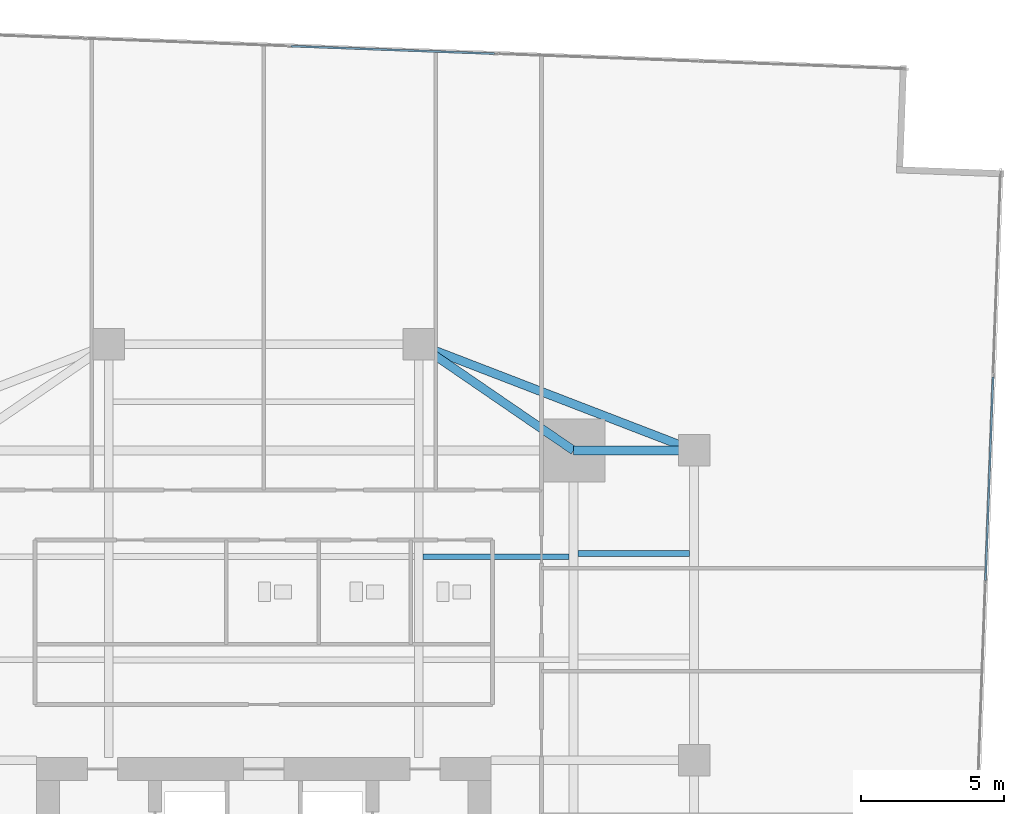
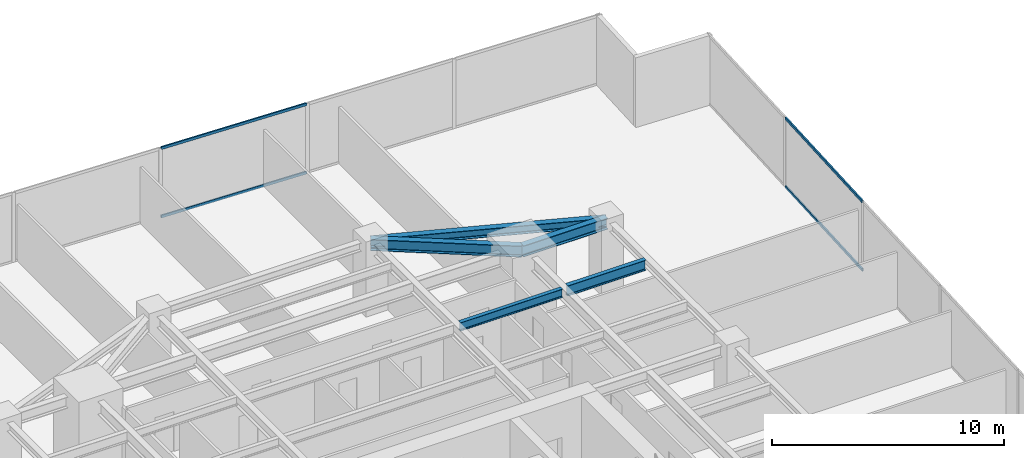
# One storey, part 23 of 30: 5 beams, 4 members, 2 elements without a shape of their own.
"""IFC4 building model written with IfcOpenShell, lengths in metres."""

from ifc_helpers import new_model, si_unit, direction, frame, origin, origin_2d, place, context, subcontext, project, spatial, hollow_rectangle, i_section, extrude, source, transform, mapped, material, material_profile, profile_set, type_object, type_shapes, element, aggregate, save


model = new_model("IFC4")

# Units and contexts
model_context = context("Model", 3, precision=1e-05, world=origin(), true_north=direction((0.0, 1.0)))
body_context = subcontext(model_context, "Body", "Model", "MODEL_VIEW")
ifc_project = project(units=[si_unit("LENGTHUNIT", "METRE"), si_unit("AREAUNIT", "SQUARE_METRE"), si_unit("VOLUMEUNIT", "CUBIC_METRE"), si_unit("PLANEANGLEUNIT", "RADIAN"), si_unit("MASSUNIT", "GRAM", prefix="KILO")], contexts=[model_context])

# Site, building, storey
site_placement = place(None, origin())
site = spatial("IfcSite", under=ifc_project, at=site_placement, CompositionType="ELEMENT")
building_placement = place(site_placement, origin())
building = spatial("IfcBuilding", under=site, at=building_placement, Name="Krantzveldt Concourse Tower", CompositionType="ELEMENT")
storey_placement = place(building_placement, frame((0.0, 0.0, 44.75)))
storey = spatial("IfcBuildingStorey", under=building, at=storey_placement, Name="L10", CompositionType="ELEMENT", Elevation=44.75)

# Beams
ifc_material_1 = material(Name="Steel S355JR", Category="steel")
ifc_material_profile_1 = material_profile(ifc_material_1, i_section(OverallWidth=0.300048828125, OverallDepth=0.43994140625, WebThickness=0.011474609375, FlangeThickness=0.02099609375, FilletRadius=0.027099609375, at=origin_2d()), Name="Steel S355JR", Category="steel")
ifc_profile_set_1 = profile_set([ifc_material_profile_1], Name="Steel S355JR - HEA 450")
beam_type_1 = type_object("IfcBeamType", Name="BM-SP-HEA450", PredefinedType="SPANDREL", material=ifc_profile_set_1)
shared_shape_1 = source(origin(), body_context, "Body", "SweptSolid", [
    extrude(i_section(OverallWidth=0.300048828125, OverallDepth=0.43994140625, WebThickness=0.011474609375, FlangeThickness=0.02099609375, FilletRadius=0.027099609375, at=origin_2d()), origin(), (0.0, 0.0, 1.0), 10.288330078125),
])
type_shapes(beam_type_1, [shared_shape_1])
beam_1_placement = place(storey_placement, frame((41.39990234375, 41.199951171875, 3.449951171875), z_axis=(0.933097690408, -0.359622997257, 0.0), x_axis=(0.359622997257, 0.933097690408, 0.0)))
element("IfcBeam", 1, at=beam_1_placement, inside=storey, type_object=beam_type_1, Name="L10 Tower Girder SP-R05", PredefinedType="SPANDREL", context=body_context, shape_type="MappedRepresentation", body=[
    mapped(shared_shape_1, transform((0.0, 0.0, 0.0), x_axis=(1.0, 0.0, 0.0), y_axis=(0.0, 1.0, 0.0), z_axis=(0.0, 0.0, 1.0), scale=1.0)),
])
ifc_material_profile_2 = material_profile(ifc_material_1, i_section(OverallWidth=0.300048828125, OverallDepth=0.590087890625, WebThickness=0.012939453125, FlangeThickness=0.02490234375, FilletRadius=0.027099609375, at=origin_2d()), Name="Steel S355JR", Category="steel")
ifc_profile_set_2 = profile_set([ifc_material_profile_2], Name="Steel S355JR - HEA 600")
beam_type_2 = type_object("IfcBeamType", Name="BM-B-HEA600", PredefinedType="BEAM", material=ifc_profile_set_2)
shared_shape_2 = source(origin(), body_context, "Body", "SweptSolid", [
    extrude(i_section(OverallWidth=0.300048828125, OverallDepth=0.590087890625, WebThickness=0.012939453125, FlangeThickness=0.02490234375, FilletRadius=0.027099609375, at=origin_2d()), origin(), (0.0, 0.0, 1.0), 4.199951171875),
])
beam_2_placement = place(storey_placement, frame((46.800048828125, 37.5, 3.375), z_axis=(1.0, 0.0, 0.0), x_axis=(0.0, 1.0, 0.0)))
element("IfcBeam", 2, at=beam_2_placement, inside=storey, type_object=beam_type_2, Name="L10 Tower Girder BR-RR3", PredefinedType="BEAM", context=body_context, shape_type="MappedRepresentation", body=[
    mapped(shared_shape_2, transform((0.0, 0.0, 0.0), x_axis=(1.0, 0.0, 0.0), y_axis=(0.0, 1.0, 0.0), z_axis=(0.0, 0.0, 1.0), scale=1.0)),
])
shared_shape_3 = source(origin(), body_context, "Body", "SweptSolid", [
    extrude(i_section(OverallWidth=0.300048828125, OverallDepth=0.590087890625, WebThickness=0.012939453125, FlangeThickness=0.02490234375, FilletRadius=0.027099609375, at=origin_2d()), origin(), (0.0, 0.0, 1.0), 6.546142578125),
])
type_shapes(beam_type_2, [shared_shape_2, shared_shape_3])
beam_3_placement = place(storey_placement, frame((46.800048828125, 37.5, 3.375), z_axis=(-0.824942999484, 0.565215930068, 0.0), x_axis=(-0.565215930068, -0.824942999484, 0.0)))
element("IfcBeam", 3, at=beam_3_placement, inside=storey, type_object=beam_type_2, Name="L10 Tower Girder BR-RR4", PredefinedType="BEAM", context=body_context, shape_type="MappedRepresentation", body=[
    mapped(shared_shape_3, transform((0.0, 0.0, 0.0), x_axis=(1.0, 0.0, 0.0), y_axis=(0.0, 1.0, 0.0), z_axis=(0.0, 0.0, 1.0), scale=1.0)),
])
ifc_material_profile_3 = material_profile(ifc_material_1, i_section(OverallWidth=0.18994140625, OverallDepth=0.449951171875, WebThickness=0.009521484375, FlangeThickness=0.0146484375, FilletRadius=0.02099609375, at=origin_2d()), Name="Steel S355JR", Category="steel")
ifc_profile_set_3 = profile_set([ifc_material_profile_3], Name="Steel S355JR - IPE 450")
beam_type_3 = type_object("IfcBeamType", Name="BM-J-IPE450", PredefinedType="JOIST", material=ifc_profile_set_3)
shared_shape_4 = source(origin(), body_context, "Body", "SweptSolid", [
    extrude(i_section(OverallWidth=0.18994140625, OverallDepth=0.449951171875, WebThickness=0.009521484375, FlangeThickness=0.0146484375, FilletRadius=0.02099609375, at=origin_2d()), origin(), (0.0, 0.0, 1.0), 5.099853515625),
])
type_shapes(beam_type_3, [shared_shape_4])
beam_4_placement = place(storey_placement, frame((41.550048828125, 33.800048828125, 3.445068359375), z_axis=(1.0, 0.0, 0.0), x_axis=(0.0, 1.0, 0.0)))
element("IfcBeam", 4, at=beam_4_placement, inside=storey, type_object=beam_type_3, Name="L10 Secondary Floor Joist JN-E2", PredefinedType="JOIST", context=body_context, shape_type="MappedRepresentation", body=[
    mapped(shared_shape_4, transform((0.0, 0.0, 0.0), x_axis=(1.0, 0.0, 0.0), y_axis=(0.0, 1.0, 0.0), z_axis=(0.0, 0.0, 1.0), scale=1.0)),
])
ifc_material_profile_4 = material_profile(ifc_material_1, i_section(OverallWidth=0.2099609375, OverallDepth=0.550048828125, WebThickness=0.010986328125, FlangeThickness=0.01708984375, FilletRadius=0.02392578125, at=origin_2d()), Name="Steel S355JR", Category="steel")
ifc_profile_set_4 = profile_set([ifc_material_profile_4], Name="Steel S355JR - IPE 550")
beam_type_4 = type_object("IfcBeamType", Name="BM-J-IPE550", PredefinedType="JOIST", material=ifc_profile_set_4)
shared_shape_5 = source(origin(), body_context, "Body", "SweptSolid", [
    extrude(i_section(OverallWidth=0.2099609375, OverallDepth=0.550048828125, WebThickness=0.010986328125, FlangeThickness=0.01708984375, FilletRadius=0.02392578125, at=origin_2d()), origin(), (0.0, 0.0, 1.0), 3.900146484375),
])
type_shapes(beam_type_4, [shared_shape_5])
beam_5_placement = place(storey_placement, frame((46.949951171875, 33.89990234375, 3.39501953125), z_axis=(1.0, 0.0, 0.0), x_axis=(0.0, 1.0, 0.0)))
element("IfcBeam", 5, at=beam_5_placement, inside=storey, type_object=beam_type_4, Name="L10 Secondary Floor Joist JE-4", PredefinedType="JOIST", context=body_context, shape_type="MappedRepresentation", body=[
    mapped(shared_shape_5, transform((0.0, 0.0, 0.0), x_axis=(1.0, 0.0, 0.0), y_axis=(0.0, 1.0, 0.0), z_axis=(0.0, 0.0, 1.0), scale=1.0)),
])

# Curtain wall, members
ifc_material_2 = material(Name="Anodised aluminium 6063-T6", Category="aluminium")
curtain_wall_type = type_object("IfcCurtainWallType", Name="CW2", PredefinedType="USERDEFINED", material=ifc_material_2)
curtain_wall_1_placement = place(storey_placement, origin())
curtain_wall_1 = element("IfcCurtainWall", 6, at=curtain_wall_1_placement, inside=storey, type_object=curtain_wall_type, Name="CW-L10-F07", ObjectType="UNITISED CURTAIN WALL", PredefinedType="USERDEFINED")
ifc_material_profile_5 = material_profile(ifc_material_2, hollow_rectangle(XDim=0.070068359375, YDim=0.139892578125, WallThickness=0.0048828125, at=origin_2d()), Name="Anodised aluminium 6063-T6", Category="aluminium")
ifc_profile_set_5 = profile_set([ifc_material_profile_5], Name="Anodised aluminium 6063-T6 - ALU-TRAN 140x70x5")
member_type = type_object("IfcMemberType", Name="CW-TRN-150", PredefinedType="USERDEFINED", material=ifc_profile_set_5)
shared_shape_6 = source(origin(), body_context, "Body", "SweptSolid", [
    extrude(hollow_rectangle(XDim=0.070068359375, YDim=0.139892578125, WallThickness=0.0048828125, at=origin_2d()), origin(), (0.0, 0.0, 1.0), 7.0966796875),
])
type_shapes(member_type, [shared_shape_6])
member_1_placement = place(storey_placement, frame((61.159912109375, 32.97314453125, 0.034912109375), z_axis=(0.037085459975, 0.999312097724, 0.0), x_axis=(-0.999312097724, 0.037085459975, 0.0)))
member_1 = element("IfcMember", 7, at=member_1_placement, type_object=member_type, Name="CW-Z12 transom 5.1", ObjectType="TRANSOM", PredefinedType="USERDEFINED", context=body_context, shape_type="MappedRepresentation", body=[
    mapped(shared_shape_6, transform((0.0, 0.0, 0.0), x_axis=(1.0, 0.0, 0.0), y_axis=(0.0, 1.0, 0.0), z_axis=(0.0, 0.0, 1.0), scale=1.0)),
])
member_2_placement = place(storey_placement, frame((61.159912109375, 32.97314453125, 3.635009765625), z_axis=(0.037085459975, 0.999312097724, 0.0), x_axis=(-0.999312097724, 0.037085459975, 0.0)))
member_2 = element("IfcMember", 8, at=member_2_placement, type_object=member_type, Name="CW-Z12 transom 5.2", ObjectType="TRANSOM", PredefinedType="USERDEFINED", context=body_context, shape_type="MappedRepresentation", body=[
    mapped(shared_shape_6, transform((0.0, 0.0, 0.0), x_axis=(1.0, 0.0, 0.0), y_axis=(0.0, 1.0, 0.0), z_axis=(0.0, 0.0, 1.0), scale=1.0)),
])
aggregate(curtain_wall_1, [member_1, member_2])

curtain_wall_2_placement = place(storey_placement, origin())
curtain_wall_2 = element("IfcCurtainWall", 9, at=curtain_wall_2_placement, inside=storey, type_object=curtain_wall_type, Name="CW-L10-F10", ObjectType="UNITISED CURTAIN WALL", PredefinedType="USERDEFINED")
member_3_placement = place(storey_placement, frame((44.050537109375, 51.328369140625, 0.034912109375), z_axis=(-0.999312097724, 0.037085459975, 0.0), x_axis=(-0.037085459975, -0.999312097724, 0.0)))
member_3 = element("IfcMember", 10, at=member_3_placement, type_object=member_type, Name="CW-Z12 transom 3.1", ObjectType="TRANSOM", PredefinedType="USERDEFINED", context=body_context, shape_type="MappedRepresentation", body=[
    mapped(shared_shape_6, transform((0.0, 0.0, 0.0), x_axis=(1.0, 0.0, 0.0), y_axis=(0.0, 1.0, 0.0), z_axis=(0.0, 0.0, 1.0), scale=1.0)),
])
member_4_placement = place(storey_placement, frame((44.050537109375, 51.328369140625, 3.635009765625), z_axis=(-0.999312097724, 0.037085459975, 0.0), x_axis=(-0.037085459975, -0.999312097724, 0.0)))
member_4 = element("IfcMember", 11, at=member_4_placement, type_object=member_type, Name="CW-Z12 transom 3.2", ObjectType="TRANSOM", PredefinedType="USERDEFINED", context=body_context, shape_type="MappedRepresentation", body=[
    mapped(shared_shape_6, transform((0.0, 0.0, 0.0), x_axis=(1.0, 0.0, 0.0), y_axis=(0.0, 1.0, 0.0), z_axis=(0.0, 0.0, 1.0), scale=1.0)),
])
aggregate(curtain_wall_2, [member_3, member_4])

save(model, "model.ifc")
